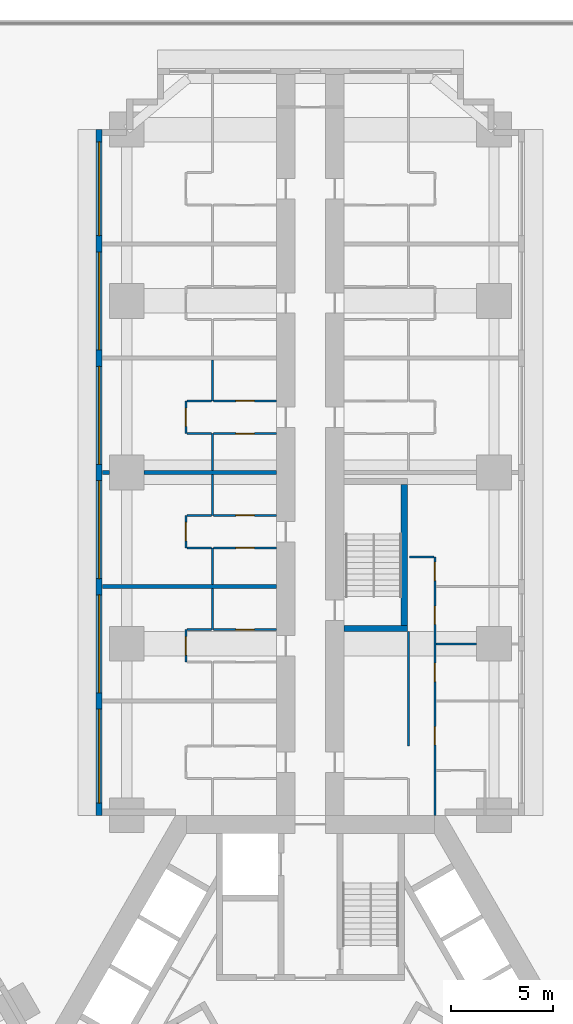
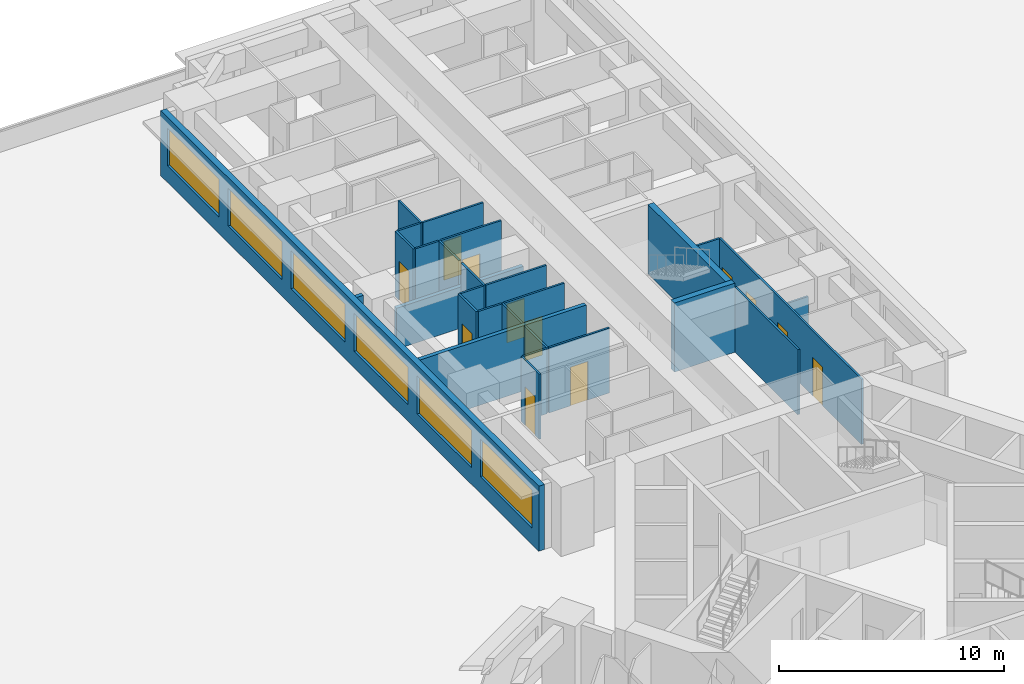
# One storey, part 9 of 18: 28 walls, 12 doors, 6 windows, 18 openings.
"""IFC4 building model written with IfcOpenShell, lengths in metres."""

from ifc_helpers import new_model, si_unit, direction, frame, frame_2d, origin, place, context, subcontext, project, spatial, rectangle, extrude, material, layer, layer_set, type_object, element, fill, save


model = new_model("IFC4")

# Units and contexts
model_context = context("Model", 3, precision=1e-05, world=origin(), true_north=direction((0.0, 1.0)))
body_context = subcontext(model_context, "Body", "Model", "MODEL_VIEW")
ifc_project = project(units=[si_unit("LENGTHUNIT", "METRE"), si_unit("AREAUNIT", "SQUARE_METRE"), si_unit("VOLUMEUNIT", "CUBIC_METRE"), si_unit("PLANEANGLEUNIT", "RADIAN"), si_unit("MASSUNIT", "GRAM", prefix="KILO")], contexts=[model_context])

# Site, building, storey
site_placement = place(None, origin())
site = spatial("IfcSite", under=ifc_project, at=site_placement, CompositionType="ELEMENT")
building_placement = place(site_placement, origin())
building = spatial("IfcBuilding", under=site, at=building_placement, Name="Impinga Residences", CompositionType="ELEMENT")
storey_placement = place(building_placement, frame((0.0, 0.0, 26.0)))
storey = spatial("IfcBuildingStorey", under=building, at=storey_placement, Name="L05", CompositionType="ELEMENT", Elevation=26.0)

# Wall, openings, windows
ifc_material_1 = material(Name="Terracotta rainscreen on blockwork", Category="masonry")
ifc_layer_1 = layer(ifc_material_1, 0.300048828125)
ifc_layer_set_1 = layer_set([ifc_layer_1], Name="EW1 external wall, terracotta rainscreen on blockwork 300")
wall_type_1 = type_object("IfcWallType", Name="EW1 external wall, terracotta rainscreen on blockwork 300", PredefinedType="SOLIDWALL", material=ifc_layer_set_1)
wall_1_placement = place(storey_placement, frame((-10.35009765625, 11.431640625, 0.0), z_axis=(0.0, 0.0, 1.0), x_axis=(0.0, 1.0, 0.0)))
wall_1 = element("IfcWall", 1, at=wall_1_placement, inside=storey, type_object=wall_type_1, Name="External wall EW1 L05", PredefinedType="SOLIDWALL", context=body_context, shape_type="SweptSolid", body=[
    extrude(rectangle(XDim=33.599853515625, YDim=0.300048828125, at=frame_2d((16.7998046875, 0.0))), origin(), (0.0, 0.0, 1.0), 3.530029296875),
])
opening_1_placement = place(wall_1_placement, frame((0.60009765625, 0.0, 0.89990234375)))
opening_1 = element("IfcOpeningElement", 2, at=opening_1_placement, cuts=wall_1, Name="Opening W3", PredefinedType="OPENING", context=body_context, shape_type="SweptSolid", body=[
    extrude(rectangle(XDim=4.60009765625, YDim=2.050048828125, at=frame_2d((2.300048828125, 1.02490234375))), frame((0.0, 0.159912109375, 0.0), z_axis=(0.0, -1.0, 0.0), x_axis=(1.0, 0.0, 0.0)), (0.0, 0.0, 1.0), 0.320068359375),
])
opening_2_placement = place(wall_1_placement, frame((6.0, 0.0, 0.89990234375)))
opening_2 = element("IfcOpeningElement", 3, at=opening_2_placement, cuts=wall_1, Name="Opening W8", PredefinedType="OPENING", context=body_context, shape_type="SweptSolid", body=[
    extrude(rectangle(XDim=4.800048828125, YDim=2.050048828125, at=frame_2d((2.39990234375, 1.02490234375))), frame((0.0, 0.159912109375, 0.0), z_axis=(0.0, -1.0, 0.0), x_axis=(1.0, 0.0, 0.0)), (0.0, 0.0, 1.0), 0.320068359375),
])
opening_3_placement = place(wall_1_placement, frame((11.60009765625, 0.0, 0.89990234375)))
opening_3 = element("IfcOpeningElement", 4, at=opening_3_placement, cuts=wall_1, Name="Opening W8", PredefinedType="OPENING", context=body_context, shape_type="SweptSolid", body=[
    extrude(rectangle(XDim=4.800048828125, YDim=2.050048828125, at=frame_2d((2.39990234375, 1.02490234375))), frame((0.0, 0.159912109375, 0.0), z_axis=(0.0, -1.0, 0.0), x_axis=(1.0, 0.0, 0.0)), (0.0, 0.0, 1.0), 0.320068359375),
])
opening_4_placement = place(wall_1_placement, frame((17.199951171875, 0.0, 0.89990234375)))
opening_4 = element("IfcOpeningElement", 5, at=opening_4_placement, cuts=wall_1, Name="Opening W8", PredefinedType="OPENING", context=body_context, shape_type="SweptSolid", body=[
    extrude(rectangle(XDim=4.800048828125, YDim=2.050048828125, at=frame_2d((2.39990234375, 1.02490234375))), frame((0.0, 0.159912109375, 0.0), z_axis=(0.0, -1.0, 0.0), x_axis=(1.0, 0.0, 0.0)), (0.0, 0.0, 1.0), 0.320068359375),
])
opening_5_placement = place(wall_1_placement, frame((22.800048828125, 0.0, 0.89990234375)))
opening_5 = element("IfcOpeningElement", 6, at=opening_5_placement, cuts=wall_1, Name="Opening W8", PredefinedType="OPENING", context=body_context, shape_type="SweptSolid", body=[
    extrude(rectangle(XDim=4.800048828125, YDim=2.050048828125, at=frame_2d((2.39990234375, 1.02490234375))), frame((0.0, 0.159912109375, 0.0), z_axis=(0.0, -1.0, 0.0), x_axis=(1.0, 0.0, 0.0)), (0.0, 0.0, 1.0), 0.320068359375),
])
opening_6_placement = place(wall_1_placement, frame((28.39990234375, 0.0, 0.89990234375)))
opening_6 = element("IfcOpeningElement", 7, at=opening_6_placement, cuts=wall_1, Name="Opening W3", PredefinedType="OPENING", context=body_context, shape_type="SweptSolid", body=[
    extrude(rectangle(XDim=4.60009765625, YDim=2.050048828125, at=frame_2d((2.300048828125, 1.02490234375))), frame((0.0, 0.159912109375, 0.0), z_axis=(0.0, -1.0, 0.0), x_axis=(1.0, 0.0, 0.0)), (0.0, 0.0, 1.0), 0.320068359375),
])
ifc_material_2 = material(Name="Aluminium window, clear double glazing", Category="aluminium")
window_type_1 = type_object("IfcWindowType", Name="W3 ribbon window 4600x2050", PartitioningType="SINGLE_PANEL", PredefinedType="WINDOW", material=ifc_material_2)
window_1_placement = place(opening_1_placement, origin())
window_1 = element("IfcWindow", 8, at=window_1_placement, inside=storey, type_object=window_type_1, Name="Window L05", OverallHeight=2.050048828125, OverallWidth=4.60009765625, PartitioningType="SINGLE_PANEL", PredefinedType="WINDOW", context=body_context, shape_type="SweptSolid", body=[
    extrude(rectangle(XDim=4.60009765625, YDim=2.050048828125, at=frame_2d((2.300048828125, 1.02490234375))), frame((0.0, 0.030029296875, 0.0), z_axis=(0.0, -1.0, 0.0), x_axis=(1.0, 0.0, 0.0)), (0.0, 0.0, 1.0), 0.06005859375),
])
fill(opening_1, window_1)
window_2_placement = place(opening_6_placement, origin())
window_2 = element("IfcWindow", 9, at=window_2_placement, inside=storey, type_object=window_type_1, Name="Window L05", OverallHeight=2.050048828125, OverallWidth=4.60009765625, PartitioningType="SINGLE_PANEL", PredefinedType="WINDOW", context=body_context, shape_type="SweptSolid", body=[
    extrude(rectangle(XDim=4.60009765625, YDim=2.050048828125, at=frame_2d((2.300048828125, 1.02490234375))), frame((0.0, 0.030029296875, 0.0), z_axis=(0.0, -1.0, 0.0), x_axis=(1.0, 0.0, 0.0)), (0.0, 0.0, 1.0), 0.06005859375),
])
fill(opening_6, window_2)
window_type_2 = type_object("IfcWindowType", Name="W8 ribbon window 4800x2050", PartitioningType="SINGLE_PANEL", PredefinedType="WINDOW", material=ifc_material_2)
window_3_placement = place(opening_2_placement, origin())
window_3 = element("IfcWindow", 10, at=window_3_placement, inside=storey, type_object=window_type_2, Name="Window L05", OverallHeight=2.050048828125, OverallWidth=4.800048828125, PartitioningType="SINGLE_PANEL", PredefinedType="WINDOW", context=body_context, shape_type="SweptSolid", body=[
    extrude(rectangle(XDim=4.800048828125, YDim=2.050048828125, at=frame_2d((2.39990234375, 1.02490234375))), frame((0.0, 0.030029296875, 0.0), z_axis=(0.0, -1.0, 0.0), x_axis=(1.0, 0.0, 0.0)), (0.0, 0.0, 1.0), 0.06005859375),
])
fill(opening_2, window_3)
window_4_placement = place(opening_3_placement, origin())
window_4 = element("IfcWindow", 11, at=window_4_placement, inside=storey, type_object=window_type_2, Name="Window L05", OverallHeight=2.050048828125, OverallWidth=4.800048828125, PartitioningType="SINGLE_PANEL", PredefinedType="WINDOW", context=body_context, shape_type="SweptSolid", body=[
    extrude(rectangle(XDim=4.800048828125, YDim=2.050048828125, at=frame_2d((2.39990234375, 1.02490234375))), frame((0.0, 0.030029296875, 0.0), z_axis=(0.0, -1.0, 0.0), x_axis=(1.0, 0.0, 0.0)), (0.0, 0.0, 1.0), 0.06005859375),
])
fill(opening_3, window_4)
window_5_placement = place(opening_4_placement, origin())
window_5 = element("IfcWindow", 12, at=window_5_placement, inside=storey, type_object=window_type_2, Name="Window L05", OverallHeight=2.050048828125, OverallWidth=4.800048828125, PartitioningType="SINGLE_PANEL", PredefinedType="WINDOW", context=body_context, shape_type="SweptSolid", body=[
    extrude(rectangle(XDim=4.800048828125, YDim=2.050048828125, at=frame_2d((2.39990234375, 1.02490234375))), frame((0.0, 0.030029296875, 0.0), z_axis=(0.0, -1.0, 0.0), x_axis=(1.0, 0.0, 0.0)), (0.0, 0.0, 1.0), 0.06005859375),
])
fill(opening_4, window_5)
window_6_placement = place(opening_5_placement, origin())
window_6 = element("IfcWindow", 13, at=window_6_placement, inside=storey, type_object=window_type_2, Name="Window L05", OverallHeight=2.050048828125, OverallWidth=4.800048828125, PartitioningType="SINGLE_PANEL", PredefinedType="WINDOW", context=body_context, shape_type="SweptSolid", body=[
    extrude(rectangle(XDim=4.800048828125, YDim=2.050048828125, at=frame_2d((2.39990234375, 1.02490234375))), frame((0.0, 0.030029296875, 0.0), z_axis=(0.0, -1.0, 0.0), x_axis=(1.0, 0.0, 0.0)), (0.0, 0.0, 1.0), 0.06005859375),
])
fill(opening_5, window_6)

# Wall
ifc_material_3 = material(Name="Gypsum board on steel studs", Category="steel")
ifc_layer_2 = layer(ifc_material_3, 0.10009765625)
ifc_layer_set_2 = layer_set([ifc_layer_2], Name="Gypsum board on steel studs")
wall_type_2 = type_object("IfcWallType", Name="IP1 partition 100", PredefinedType="PARTITIONING", material=ifc_layer_set_2)
wall_2_placement = place(storey_placement, frame((-4.800048828125, 20.531494140625, 0.0), z_axis=(0.0, 0.0, 1.0), x_axis=(0.0, 1.0, 0.0)))
element("IfcWall", 14, at=wall_2_placement, inside=storey, type_object=wall_type_2, Name="Partition L05-NA2:DIV1", PredefinedType="PARTITIONING", context=body_context, shape_type="SweptSolid", body=[
    extrude(rectangle(XDim=2.0, YDim=0.10009765625, at=frame_2d((1.0, 0.0))), origin(), (0.0, 0.0, 1.0), 3.530029296875),
])

# Wall, opening, door
wall_3_placement = place(storey_placement, frame((-6.10009765625, 18.931640625, 0.0), z_axis=(0.0, 0.0, 1.0), x_axis=(0.0, 1.0, 0.0)))
wall_3 = element("IfcWall", 15, at=wall_3_placement, inside=storey, type_object=wall_type_2, Name="Partition L05-NA2:STRIP", PredefinedType="PARTITIONING", context=body_context, shape_type="SweptSolid", body=[
    extrude(rectangle(XDim=1.599853515625, YDim=0.10009765625, at=frame_2d((0.7998046875, 0.0))), origin(), (0.0, 0.0, 1.0), 3.530029296875),
])
opening_7_placement = place(wall_3_placement, frame((0.35009765625, 0.0, 0.0)))
opening_7 = element("IfcOpeningElement", 16, at=opening_7_placement, cuts=wall_3, Name="Opening D2", PredefinedType="OPENING", context=body_context, shape_type="SweptSolid", body=[
    extrude(rectangle(XDim=0.89990234375, YDim=2.10009765625, at=frame_2d((0.449951171875, 1.050048828125))), frame((0.0, 0.06005859375, 0.0), z_axis=(0.0, -1.0, 0.0), x_axis=(1.0, 0.0, 0.0)), (0.0, 0.0, 1.0), 0.1201171875),
])
ifc_material_4 = material(Name="Timber door set", Category="wood")
door_type = type_object("IfcDoorType", Name="D2 internal door 900x2100", OperationType="SINGLE_SWING_LEFT", PredefinedType="DOOR", material=ifc_material_4)
door_1_placement = place(opening_7_placement, origin())
door_1 = element("IfcDoor", 17, at=door_1_placement, inside=storey, type_object=door_type, Name="Apartment L05-NA2 room door", OperationType="SINGLE_SWING_LEFT", OverallHeight=2.10009765625, OverallWidth=0.89990234375, PredefinedType="DOOR", context=body_context, shape_type="SweptSolid", body=[
    extrude(rectangle(XDim=0.89990234375, YDim=2.10009765625, at=frame_2d((0.449951171875, 1.050048828125))), frame((0.0, 0.02490234375, 0.0), z_axis=(0.0, -1.0, 0.0), x_axis=(1.0, 0.0, 0.0)), (0.0, 0.0, 1.0), 0.050048828125),
])
fill(opening_7, door_1)

# Wall
wall_4_placement = place(storey_placement, frame((-4.85009765625, 20.531494140625, 0.0), z_axis=(0.0, 0.0, 1.0), x_axis=(-1.0, 0.0, 0.0)))
element("IfcWall", 18, at=wall_4_placement, inside=storey, type_object=wall_type_2, Name="Partition L05-NA2:SE1", PredefinedType="PARTITIONING", context=body_context, shape_type="SweptSolid", body=[
    extrude(rectangle(XDim=1.199951171875, YDim=0.10009765625, at=frame_2d((0.60009765625, 0.0))), origin(), (0.0, 0.0, 1.0), 3.530029296875),
])

# Wall, opening, door
wall_5_placement = place(storey_placement, frame((-1.64990234375, 20.531494140625, 0.0), z_axis=(0.0, 0.0, 1.0), x_axis=(-1.0, 0.0, 0.0)))
wall_5 = element("IfcWall", 19, at=wall_5_placement, inside=storey, type_object=wall_type_2, Name="Partition L05-NA2:IB2", PredefinedType="PARTITIONING", context=body_context, shape_type="SweptSolid", body=[
    extrude(rectangle(XDim=3.10009765625, YDim=0.10009765625, at=frame_2d((1.550048828125, 0.0))), origin(), (0.0, 0.0, 1.0), 3.530029296875),
])
opening_8_placement = place(wall_5_placement, frame((1.10009765625, 0.0, 0.0)))
opening_8 = element("IfcOpeningElement", 20, at=opening_8_placement, cuts=wall_5, Name="Opening D2", PredefinedType="OPENING", context=body_context, shape_type="SweptSolid", body=[
    extrude(rectangle(XDim=0.89990234375, YDim=2.10009765625, at=frame_2d((0.449951171875, 1.050048828125))), frame((0.0, 0.06005859375, 0.0), z_axis=(0.0, -1.0, 0.0), x_axis=(1.0, 0.0, 0.0)), (0.0, 0.0, 1.0), 0.1201171875),
])
door_2_placement = place(opening_8_placement, origin())
door_2 = element("IfcDoor", 21, at=door_2_placement, inside=storey, type_object=door_type, Name="Apartment L05-NA2 WC door", OperationType="SINGLE_SWING_LEFT", OverallHeight=2.10009765625, OverallWidth=0.89990234375, PredefinedType="DOOR", context=body_context, shape_type="SweptSolid", body=[
    extrude(rectangle(XDim=0.89990234375, YDim=2.10009765625, at=frame_2d((0.449951171875, 1.050048828125))), frame((0.0, 0.02490234375, 0.0), z_axis=(0.0, -1.0, 0.0), x_axis=(1.0, 0.0, 0.0)), (0.0, 0.0, 1.0), 0.050048828125),
])
fill(opening_8, door_2)

# Walls
wall_6_placement = place(storey_placement, frame((-4.800048828125, 22.7314453125, 0.0), z_axis=(0.0, 0.0, 1.0), x_axis=(0.0, 1.0, 0.0)))
element("IfcWall", 22, at=wall_6_placement, inside=storey, type_object=wall_type_2, Name="Partition L05-NA3:DIV0", PredefinedType="PARTITIONING", context=body_context, shape_type="SweptSolid", body=[
    extrude(rectangle(XDim=1.800048828125, YDim=0.10009765625, at=frame_2d((0.89990234375, 0.0))), origin(), (0.0, 0.0, 1.0), 3.530029296875),
])
wall_7_placement = place(storey_placement, frame((-4.800048828125, 26.131591796875, 0.0), z_axis=(0.0, 0.0, 1.0), x_axis=(0.0, 1.0, 0.0)))
element("IfcWall", 23, at=wall_7_placement, inside=storey, type_object=wall_type_2, Name="Partition L05-NA3:DIV1", PredefinedType="PARTITIONING", context=body_context, shape_type="SweptSolid", body=[
    extrude(rectangle(XDim=2.0, YDim=0.10009765625, at=frame_2d((1.0, 0.0))), origin(), (0.0, 0.0, 1.0), 3.530029296875),
])

# Wall, opening, door
wall_8_placement = place(storey_placement, frame((-6.10009765625, 24.531494140625, 0.0), z_axis=(0.0, 0.0, 1.0), x_axis=(0.0, 1.0, 0.0)))
wall_8 = element("IfcWall", 24, at=wall_8_placement, inside=storey, type_object=wall_type_2, Name="Partition L05-NA3:STRIP", PredefinedType="PARTITIONING", context=body_context, shape_type="SweptSolid", body=[
    extrude(rectangle(XDim=1.60009765625, YDim=0.10009765625, at=frame_2d((0.800048828125, 0.0))), origin(), (0.0, 0.0, 1.0), 3.530029296875),
])
opening_9_placement = place(wall_8_placement, frame((0.35009765625, 0.0, 0.0)))
opening_9 = element("IfcOpeningElement", 25, at=opening_9_placement, cuts=wall_8, Name="Opening D2", PredefinedType="OPENING", context=body_context, shape_type="SweptSolid", body=[
    extrude(rectangle(XDim=0.89990234375, YDim=2.10009765625, at=frame_2d((0.449951171875, 1.050048828125))), frame((0.0, 0.06005859375, 0.0), z_axis=(0.0, -1.0, 0.0), x_axis=(1.0, 0.0, 0.0)), (0.0, 0.0, 1.0), 0.1201171875),
])
door_3_placement = place(opening_9_placement, origin())
door_3 = element("IfcDoor", 26, at=door_3_placement, inside=storey, type_object=door_type, Name="Apartment L05-NA3 room door", OperationType="SINGLE_SWING_LEFT", OverallHeight=2.10009765625, OverallWidth=0.89990234375, PredefinedType="DOOR", context=body_context, shape_type="SweptSolid", body=[
    extrude(rectangle(XDim=0.89990234375, YDim=2.10009765625, at=frame_2d((0.449951171875, 1.050048828125))), frame((0.0, 0.02490234375, 0.0), z_axis=(0.0, -1.0, 0.0), x_axis=(1.0, 0.0, 0.0)), (0.0, 0.0, 1.0), 0.050048828125),
])
fill(opening_9, door_3)

# Walls
for number, where, z_axis, x_axis, name in (
    (27, (-4.85009765625, 24.531494140625, 0.0), (0.0, 0.0, 1.0), (-1.0, 0.0, 0.0), "Partition L05-NA3:SE0"),
    (28, (-4.85009765625, 26.131591796875, 0.0), (0.0, 0.0, 1.0), (-1.0, 0.0, 0.0), "Partition L05-NA3:SE1"),
):
    element("IfcWall", number, at=place(storey_placement, frame(where, z_axis=z_axis, x_axis=x_axis)), inside=storey, type_object=wall_type_2, Name=name, PredefinedType="PARTITIONING", context=body_context, shape_type="SweptSolid", body=[
        extrude(rectangle(XDim=1.199951171875, YDim=0.10009765625, at=frame_2d((0.60009765625, 0.0))), origin(), (0.0, 0.0, 1.0), 3.530029296875),
    ])

# Wall, opening, door
wall_9_placement = place(storey_placement, frame((-1.64990234375, 24.531494140625, 0.0), z_axis=(0.0, 0.0, 1.0), x_axis=(-1.0, 0.0, 0.0)))
wall_9 = element("IfcWall", 29, at=wall_9_placement, inside=storey, type_object=wall_type_2, Name="Partition L05-NA3:IB1", PredefinedType="PARTITIONING", context=body_context, shape_type="SweptSolid", body=[
    extrude(rectangle(XDim=3.10009765625, YDim=0.10009765625, at=frame_2d((1.550048828125, 0.0))), origin(), (0.0, 0.0, 1.0), 3.530029296875),
])
opening_10_placement = place(wall_9_placement, frame((1.10009765625, 0.0, 0.0)))
opening_10 = element("IfcOpeningElement", 30, at=opening_10_placement, cuts=wall_9, Name="Opening D2", PredefinedType="OPENING", context=body_context, shape_type="SweptSolid", body=[
    extrude(rectangle(XDim=0.89990234375, YDim=2.10009765625, at=frame_2d((0.449951171875, 1.050048828125))), frame((0.0, 0.06005859375, 0.0), z_axis=(0.0, -1.0, 0.0), x_axis=(1.0, 0.0, 0.0)), (0.0, 0.0, 1.0), 0.1201171875),
])
door_4_placement = place(opening_10_placement, origin())
door_4 = element("IfcDoor", 31, at=door_4_placement, inside=storey, type_object=door_type, Name="Apartment L05-NA3 bathroom door", OperationType="SINGLE_SWING_LEFT", OverallHeight=2.10009765625, OverallWidth=0.89990234375, PredefinedType="DOOR", context=body_context, shape_type="SweptSolid", body=[
    extrude(rectangle(XDim=0.89990234375, YDim=2.10009765625, at=frame_2d((0.449951171875, 1.050048828125))), frame((0.0, 0.02490234375, 0.0), z_axis=(0.0, -1.0, 0.0), x_axis=(1.0, 0.0, 0.0)), (0.0, 0.0, 1.0), 0.050048828125),
])
fill(opening_10, door_4)

wall_10_placement = place(storey_placement, frame((-1.64990234375, 26.131591796875, 0.0), z_axis=(0.0, 0.0, 1.0), x_axis=(-1.0, 0.0, 0.0)))
wall_10 = element("IfcWall", 32, at=wall_10_placement, inside=storey, type_object=wall_type_2, Name="Partition L05-NA3:IB2", PredefinedType="PARTITIONING", context=body_context, shape_type="SweptSolid", body=[
    extrude(rectangle(XDim=3.10009765625, YDim=0.10009765625, at=frame_2d((1.550048828125, 0.0))), origin(), (0.0, 0.0, 1.0), 3.530029296875),
])
opening_11_placement = place(wall_10_placement, frame((1.10009765625, 0.0, 0.0)))
opening_11 = element("IfcOpeningElement", 33, at=opening_11_placement, cuts=wall_10, Name="Opening D2", PredefinedType="OPENING", context=body_context, shape_type="SweptSolid", body=[
    extrude(rectangle(XDim=0.89990234375, YDim=2.10009765625, at=frame_2d((0.449951171875, 1.050048828125))), frame((0.0, 0.06005859375, 0.0), z_axis=(0.0, -1.0, 0.0), x_axis=(1.0, 0.0, 0.0)), (0.0, 0.0, 1.0), 0.1201171875),
])
door_5_placement = place(opening_11_placement, origin())
door_5 = element("IfcDoor", 34, at=door_5_placement, inside=storey, type_object=door_type, Name="Apartment L05-NA3 WC door", OperationType="SINGLE_SWING_LEFT", OverallHeight=2.10009765625, OverallWidth=0.89990234375, PredefinedType="DOOR", context=body_context, shape_type="SweptSolid", body=[
    extrude(rectangle(XDim=0.89990234375, YDim=2.10009765625, at=frame_2d((0.449951171875, 1.050048828125))), frame((0.0, 0.02490234375, 0.0), z_axis=(0.0, -1.0, 0.0), x_axis=(1.0, 0.0, 0.0)), (0.0, 0.0, 1.0), 0.050048828125),
])
fill(opening_11, door_5)

# Walls
wall_11_placement = place(storey_placement, frame((-4.800048828125, 28.33154296875, 0.0), z_axis=(0.0, 0.0, 1.0), x_axis=(0.0, 1.0, 0.0)))
element("IfcWall", 35, at=wall_11_placement, inside=storey, type_object=wall_type_2, Name="Partition L05-NA4:DIV0", PredefinedType="PARTITIONING", context=body_context, shape_type="SweptSolid", body=[
    extrude(rectangle(XDim=1.800048828125, YDim=0.10009765625, at=frame_2d((0.89990234375, 0.0))), origin(), (0.0, 0.0, 1.0), 3.530029296875),
])
wall_12_placement = place(storey_placement, frame((-4.800048828125, 31.7314453125, 0.0), z_axis=(0.0, 0.0, 1.0), x_axis=(0.0, 1.0, 0.0)))
element("IfcWall", 36, at=wall_12_placement, inside=storey, type_object=wall_type_2, Name="Partition L05-NA4:DIV1", PredefinedType="PARTITIONING", context=body_context, shape_type="SweptSolid", body=[
    extrude(rectangle(XDim=2.0, YDim=0.10009765625, at=frame_2d((1.0, 0.0))), origin(), (0.0, 0.0, 1.0), 3.530029296875),
])

# Wall, opening, door
wall_13_placement = place(storey_placement, frame((-6.10009765625, 30.131591796875, 0.0), z_axis=(0.0, 0.0, 1.0), x_axis=(0.0, 1.0, 0.0)))
wall_13 = element("IfcWall", 37, at=wall_13_placement, inside=storey, type_object=wall_type_2, Name="Partition L05-NA4:STRIP", PredefinedType="PARTITIONING", context=body_context, shape_type="SweptSolid", body=[
    extrude(rectangle(XDim=1.599853515625, YDim=0.10009765625, at=frame_2d((0.7998046875, 0.0))), origin(), (0.0, 0.0, 1.0), 3.530029296875),
])
opening_12_placement = place(wall_13_placement, frame((0.35009765625, 0.0, 0.0)))
opening_12 = element("IfcOpeningElement", 38, at=opening_12_placement, cuts=wall_13, Name="Opening D2", PredefinedType="OPENING", context=body_context, shape_type="SweptSolid", body=[
    extrude(rectangle(XDim=0.89990234375, YDim=2.10009765625, at=frame_2d((0.449951171875, 1.050048828125))), frame((0.0, 0.06005859375, 0.0), z_axis=(0.0, -1.0, 0.0), x_axis=(1.0, 0.0, 0.0)), (0.0, 0.0, 1.0), 0.1201171875),
])
door_6_placement = place(opening_12_placement, origin())
door_6 = element("IfcDoor", 39, at=door_6_placement, inside=storey, type_object=door_type, Name="Apartment L05-NA4 room door", OperationType="SINGLE_SWING_LEFT", OverallHeight=2.10009765625, OverallWidth=0.89990234375, PredefinedType="DOOR", context=body_context, shape_type="SweptSolid", body=[
    extrude(rectangle(XDim=0.89990234375, YDim=2.10009765625, at=frame_2d((0.449951171875, 1.050048828125))), frame((0.0, 0.02490234375, 0.0), z_axis=(0.0, -1.0, 0.0), x_axis=(1.0, 0.0, 0.0)), (0.0, 0.0, 1.0), 0.050048828125),
])
fill(opening_12, door_6)

# Walls
for number, where, z_axis, x_axis, name in (
    (40, (-4.85009765625, 30.131591796875, 0.0), (0.0, 0.0, 1.0), (-1.0, 0.0, 0.0), "Partition L05-NA4:SE0"),
    (41, (-4.85009765625, 31.7314453125, 0.0), (0.0, 0.0, 1.0), (-1.0, 0.0, 0.0), "Partition L05-NA4:SE1"),
):
    element("IfcWall", number, at=place(storey_placement, frame(where, z_axis=z_axis, x_axis=x_axis)), inside=storey, type_object=wall_type_2, Name=name, PredefinedType="PARTITIONING", context=body_context, shape_type="SweptSolid", body=[
        extrude(rectangle(XDim=1.199951171875, YDim=0.10009765625, at=frame_2d((0.60009765625, 0.0))), origin(), (0.0, 0.0, 1.0), 3.530029296875),
    ])

# Wall, opening, door
wall_14_placement = place(storey_placement, frame((-1.64990234375, 30.131591796875, 0.0), z_axis=(0.0, 0.0, 1.0), x_axis=(-1.0, 0.0, 0.0)))
wall_14 = element("IfcWall", 42, at=wall_14_placement, inside=storey, type_object=wall_type_2, Name="Partition L05-NA4:IB1", PredefinedType="PARTITIONING", context=body_context, shape_type="SweptSolid", body=[
    extrude(rectangle(XDim=3.10009765625, YDim=0.10009765625, at=frame_2d((1.550048828125, 0.0))), origin(), (0.0, 0.0, 1.0), 3.530029296875),
])
opening_13_placement = place(wall_14_placement, frame((1.10009765625, 0.0, 0.0)))
opening_13 = element("IfcOpeningElement", 43, at=opening_13_placement, cuts=wall_14, Name="Opening D2", PredefinedType="OPENING", context=body_context, shape_type="SweptSolid", body=[
    extrude(rectangle(XDim=0.89990234375, YDim=2.10009765625, at=frame_2d((0.449951171875, 1.050048828125))), frame((0.0, 0.06005859375, 0.0), z_axis=(0.0, -1.0, 0.0), x_axis=(1.0, 0.0, 0.0)), (0.0, 0.0, 1.0), 0.1201171875),
])
door_7_placement = place(opening_13_placement, origin())
door_7 = element("IfcDoor", 44, at=door_7_placement, inside=storey, type_object=door_type, Name="Apartment L05-NA4 bathroom door", OperationType="SINGLE_SWING_LEFT", OverallHeight=2.10009765625, OverallWidth=0.89990234375, PredefinedType="DOOR", context=body_context, shape_type="SweptSolid", body=[
    extrude(rectangle(XDim=0.89990234375, YDim=2.10009765625, at=frame_2d((0.449951171875, 1.050048828125))), frame((0.0, 0.02490234375, 0.0), z_axis=(0.0, -1.0, 0.0), x_axis=(1.0, 0.0, 0.0)), (0.0, 0.0, 1.0), 0.050048828125),
])
fill(opening_13, door_7)

wall_15_placement = place(storey_placement, frame((-1.64990234375, 31.7314453125, 0.0), z_axis=(0.0, 0.0, 1.0), x_axis=(-1.0, 0.0, 0.0)))
wall_15 = element("IfcWall", 45, at=wall_15_placement, inside=storey, type_object=wall_type_2, Name="Partition L05-NA4:IB2", PredefinedType="PARTITIONING", context=body_context, shape_type="SweptSolid", body=[
    extrude(rectangle(XDim=3.10009765625, YDim=0.10009765625, at=frame_2d((1.550048828125, 0.0))), origin(), (0.0, 0.0, 1.0), 3.530029296875),
])
opening_14_placement = place(wall_15_placement, frame((1.10009765625, 0.0, 0.0)))
opening_14 = element("IfcOpeningElement", 46, at=opening_14_placement, cuts=wall_15, Name="Opening D2", PredefinedType="OPENING", context=body_context, shape_type="SweptSolid", body=[
    extrude(rectangle(XDim=0.89990234375, YDim=2.10009765625, at=frame_2d((0.449951171875, 1.050048828125))), frame((0.0, 0.06005859375, 0.0), z_axis=(0.0, -1.0, 0.0), x_axis=(1.0, 0.0, 0.0)), (0.0, 0.0, 1.0), 0.1201171875),
])
door_8_placement = place(opening_14_placement, origin())
door_8 = element("IfcDoor", 47, at=door_8_placement, inside=storey, type_object=door_type, Name="Apartment L05-NA4 WC door", OperationType="SINGLE_SWING_LEFT", OverallHeight=2.10009765625, OverallWidth=0.89990234375, PredefinedType="DOOR", context=body_context, shape_type="SweptSolid", body=[
    extrude(rectangle(XDim=0.89990234375, YDim=2.10009765625, at=frame_2d((0.449951171875, 1.050048828125))), frame((0.0, 0.02490234375, 0.0), z_axis=(0.0, -1.0, 0.0), x_axis=(1.0, 0.0, 0.0)), (0.0, 0.0, 1.0), 0.050048828125),
])
fill(opening_14, door_8)

# Wall
wall_16_placement = place(storey_placement, frame((4.800048828125, 14.83154296875, 0.0), z_axis=(0.0, 0.0, 1.0), x_axis=(0.0, 1.0, 0.0)))
element("IfcWall", 48, at=wall_16_placement, inside=storey, type_object=wall_type_2, Name="Partition L05-NF1:DIV1", PredefinedType="PARTITIONING", context=body_context, shape_type="SweptSolid", body=[
    extrude(rectangle(XDim=5.60009765625, YDim=0.10009765625, at=frame_2d((2.800048828125, 0.0))), origin(), (0.0, 0.0, 1.0), 3.530029296875),
])

# Wall, openings, doors
wall_17_placement = place(storey_placement, frame((6.10009765625, 11.431640625, 0.0), z_axis=(0.0, 0.0, 1.0), x_axis=(0.0, 1.0, 0.0)))
wall_17 = element("IfcWall", 49, at=wall_17_placement, inside=storey, type_object=wall_type_2, Name="Partition L05-NF1:STRIP", PredefinedType="PARTITIONING", context=body_context, shape_type="SweptSolid", body=[
    extrude(rectangle(XDim=12.64990234375, YDim=0.10009765625, at=frame_2d((6.324951171875, 0.0))), origin(), (0.0, 0.0, 1.0), 3.530029296875),
])
opening_15_placement = place(wall_17_placement, frame((3.449951171875, 0.0, 0.0)))
opening_15 = element("IfcOpeningElement", 50, at=opening_15_placement, cuts=wall_17, Name="Opening D2", PredefinedType="OPENING", context=body_context, shape_type="SweptSolid", body=[
    extrude(rectangle(XDim=0.89990234375, YDim=2.10009765625, at=frame_2d((0.449951171875, 1.050048828125))), frame((0.0, 0.06005859375, 0.0), z_axis=(0.0, -1.0, 0.0), x_axis=(1.0, 0.0, 0.0)), (0.0, 0.0, 1.0), 0.1201171875),
])
opening_16_placement = place(wall_17_placement, frame((6.550048828125, 0.0, 0.0)))
opening_16 = element("IfcOpeningElement", 51, at=opening_16_placement, cuts=wall_17, Name="Opening D2", PredefinedType="OPENING", context=body_context, shape_type="SweptSolid", body=[
    extrude(rectangle(XDim=0.89990234375, YDim=2.10009765625, at=frame_2d((0.449951171875, 1.050048828125))), frame((0.0, 0.06005859375, 0.0), z_axis=(0.0, -1.0, 0.0), x_axis=(1.0, 0.0, 0.0)), (0.0, 0.0, 1.0), 0.1201171875),
])
opening_17_placement = place(wall_17_placement, frame((9.35009765625, 0.0, 0.0)))
opening_17 = element("IfcOpeningElement", 52, at=opening_17_placement, cuts=wall_17, Name="Opening D2", PredefinedType="OPENING", context=body_context, shape_type="SweptSolid", body=[
    extrude(rectangle(XDim=0.89990234375, YDim=2.10009765625, at=frame_2d((0.449951171875, 1.050048828125))), frame((0.0, 0.06005859375, 0.0), z_axis=(0.0, -1.0, 0.0), x_axis=(1.0, 0.0, 0.0)), (0.0, 0.0, 1.0), 0.1201171875),
])
opening_18_placement = place(wall_17_placement, frame((11.5, 0.0, 0.0)))
opening_18 = element("IfcOpeningElement", 53, at=opening_18_placement, cuts=wall_17, Name="Opening D2", PredefinedType="OPENING", context=body_context, shape_type="SweptSolid", body=[
    extrude(rectangle(XDim=0.89990234375, YDim=2.10009765625, at=frame_2d((0.449951171875, 1.050048828125))), frame((0.0, 0.06005859375, 0.0), z_axis=(0.0, -1.0, 0.0), x_axis=(1.0, 0.0, 0.0)), (0.0, 0.0, 1.0), 0.1201171875),
])
door_9_placement = place(opening_15_placement, origin())
door_9 = element("IfcDoor", 54, at=door_9_placement, inside=storey, type_object=door_type, Name="Apartment L05-NF1 room door", OperationType="SINGLE_SWING_LEFT", OverallHeight=2.10009765625, OverallWidth=0.89990234375, PredefinedType="DOOR", context=body_context, shape_type="SweptSolid", body=[
    extrude(rectangle(XDim=0.89990234375, YDim=2.10009765625, at=frame_2d((0.449951171875, 1.050048828125))), frame((0.0, 0.02490234375, 0.0), z_axis=(0.0, -1.0, 0.0), x_axis=(1.0, 0.0, 0.0)), (0.0, 0.0, 1.0), 0.050048828125),
])
fill(opening_15, door_9)
door_10_placement = place(opening_16_placement, origin())
door_10 = element("IfcDoor", 55, at=door_10_placement, inside=storey, type_object=door_type, Name="Apartment L05-NF1 room door", OperationType="SINGLE_SWING_RIGHT", OverallHeight=2.10009765625, OverallWidth=0.89990234375, PredefinedType="DOOR", context=body_context, shape_type="SweptSolid", body=[
    extrude(rectangle(XDim=0.89990234375, YDim=2.10009765625, at=frame_2d((0.449951171875, 1.050048828125))), frame((0.0, 0.02490234375, 0.0), z_axis=(0.0, -1.0, 0.0), x_axis=(1.0, 0.0, 0.0)), (0.0, 0.0, 1.0), 0.050048828125),
])
fill(opening_16, door_10)
door_11_placement = place(opening_17_placement, origin())
door_11 = element("IfcDoor", 56, at=door_11_placement, inside=storey, type_object=door_type, Name="Apartment L05-NF1 room door", OperationType="SINGLE_SWING_RIGHT", OverallHeight=2.10009765625, OverallWidth=0.89990234375, PredefinedType="DOOR", context=body_context, shape_type="SweptSolid", body=[
    extrude(rectangle(XDim=0.89990234375, YDim=2.10009765625, at=frame_2d((0.449951171875, 1.050048828125))), frame((0.0, 0.02490234375, 0.0), z_axis=(0.0, -1.0, 0.0), x_axis=(1.0, 0.0, 0.0)), (0.0, 0.0, 1.0), 0.050048828125),
])
fill(opening_17, door_11)
door_12_placement = place(opening_18_placement, origin())
door_12 = element("IfcDoor", 57, at=door_12_placement, inside=storey, type_object=door_type, Name="Apartment L05-NF1 room door", OperationType="SINGLE_SWING_RIGHT", OverallHeight=2.10009765625, OverallWidth=0.89990234375, PredefinedType="DOOR", context=body_context, shape_type="SweptSolid", body=[
    extrude(rectangle(XDim=0.89990234375, YDim=2.10009765625, at=frame_2d((0.449951171875, 1.050048828125))), frame((0.0, 0.02490234375, 0.0), z_axis=(0.0, -1.0, 0.0), x_axis=(1.0, 0.0, 0.0)), (0.0, 0.0, 1.0), 0.050048828125),
])
fill(opening_18, door_12)

# Walls
wall_18_placement = place(storey_placement, frame((4.85009765625, 24.08154296875, 0.0), z_axis=(0.0, 0.0, 1.0), x_axis=(1.0, 0.0, 0.0)))
element("IfcWall", 58, at=wall_18_placement, inside=storey, type_object=wall_type_2, Name="Partition L05-NF1:SE1", PredefinedType="PARTITIONING", context=body_context, shape_type="SweptSolid", body=[
    extrude(rectangle(XDim=1.199951171875, YDim=0.10009765625, at=frame_2d((0.60009765625, 0.0))), origin(), (0.0, 0.0, 1.0), 3.530029296875),
])
wall_19_placement = place(storey_placement, frame((6.14990234375, 19.83154296875, 0.0), z_axis=(0.0, 0.0, 1.0), x_axis=(1.0, 0.0, 0.0)))
element("IfcWall", 59, at=wall_19_placement, inside=storey, type_object=wall_type_2, Name="Partition L05-NF1:OB2", PredefinedType="PARTITIONING", context=body_context, shape_type="SweptSolid", body=[
    extrude(rectangle(XDim=2.0, YDim=0.10009765625, at=frame_2d((1.0, 0.0))), origin(), (0.0, 0.0, 1.0), 2.22998046875),
])
ifc_material_5 = material(Name="Concrete blockwork", Category="masonry")
ifc_layer_3 = layer(ifc_material_5, 0.199951171875)
ifc_layer_set_3 = layer_set([ifc_layer_3], Name="PW1 party wall between apartments 200")
wall_type_3 = type_object("IfcWallType", Name="PW1 party wall between apartments 200", PredefinedType="SOLIDWALL", material=ifc_layer_set_3)
wall_20_placement = place(storey_placement, frame((-1.64990234375, 22.631591796875, 0.0), z_axis=(0.0, 0.0, 1.0), x_axis=(-1.0, 0.0, 0.0)))
element("IfcWall", 60, at=wall_20_placement, inside=storey, type_object=wall_type_3, Name="Party wall between apartments L05-NA2:PARTY", PredefinedType="SOLIDWALL", context=body_context, shape_type="SweptSolid", body=[
    extrude(rectangle(XDim=8.550048828125, YDim=0.199951171875, at=frame_2d((4.27490234375, 0.0))), origin(), (0.0, 0.0, 1.0), 3.530029296875),
])
wall_21_placement = place(storey_placement, frame((-1.64990234375, 28.2314453125, 0.0), z_axis=(0.0, 0.0, 1.0), x_axis=(-1.0, 0.0, 0.0)))
element("IfcWall", 61, at=wall_21_placement, inside=storey, type_object=wall_type_3, Name="Party wall between apartments L05-NA3:PARTY", PredefinedType="SOLIDWALL", context=body_context, shape_type="SweptSolid", body=[
    extrude(rectangle(XDim=6.5, YDim=0.199951171875, at=frame_2d((3.25, 0.0))), origin(), (0.0, 0.0, 1.0), 2.22998046875),
])
wall_22_placement = place(storey_placement, frame((-9.85009765625, 28.2314453125, 0.0), z_axis=(0.0, 0.0, 1.0), x_axis=(-1.0, 0.0, 0.0)))
element("IfcWall", 62, at=wall_22_placement, inside=storey, type_object=wall_type_3, Name="Party wall between apartments L05-NA3:PARTYb", PredefinedType="SOLIDWALL", context=body_context, shape_type="SweptSolid", body=[
    extrude(rectangle(XDim=0.349853515625, YDim=0.199951171875, at=frame_2d((0.1748046875, 0.0))), origin(), (0.0, 0.0, 1.0), 3.530029296875),
])
ifc_material_6 = material(Name="Concrete C60/75", Category="concrete")
ifc_layer_4 = layer(ifc_material_6, 0.300048828125)
ifc_layer_set_4 = layer_set([ifc_layer_4], Name="Concrete C60/75")
wall_type_4 = type_object("IfcWallType", Name="SE1 wing stair enclosure wall 300", PredefinedType="SOLIDWALL", material=ifc_layer_set_4)
wall_23_placement = place(storey_placement, frame((1.64990234375, 20.58154296875, 0.0), z_axis=(0.0, 0.0, 1.0), x_axis=(1.0, 0.0, 0.0)))
element("IfcWall", 63, at=wall_23_placement, inside=storey, type_object=wall_type_4, Name="Stair enclosure wall SE1 N END0 L05", PredefinedType="SOLIDWALL", context=body_context, shape_type="SweptSolid", body=[
    extrude(rectangle(XDim=3.10009765625, YDim=0.300048828125, at=frame_2d((1.550048828125, 0.0))), origin(), (0.0, 0.0, 1.0), 3.75),
])
wall_24_placement = place(storey_placement, frame((4.60009765625, 20.7314453125, 0.0), z_axis=(0.0, 0.0, 1.0), x_axis=(0.0, 1.0, 0.0)))
element("IfcWall", 64, at=wall_24_placement, inside=storey, type_object=wall_type_4, Name="Stair enclosure wall SE1 N OUT L05", PredefinedType="SOLIDWALL", context=body_context, shape_type="SweptSolid", body=[
    extrude(rectangle(XDim=6.900146484375, YDim=0.300048828125, at=frame_2d((3.4501953125, 0.0))), origin(), (0.0, 0.0, 1.0), 3.75),
])

save(model, "model.ifc")
